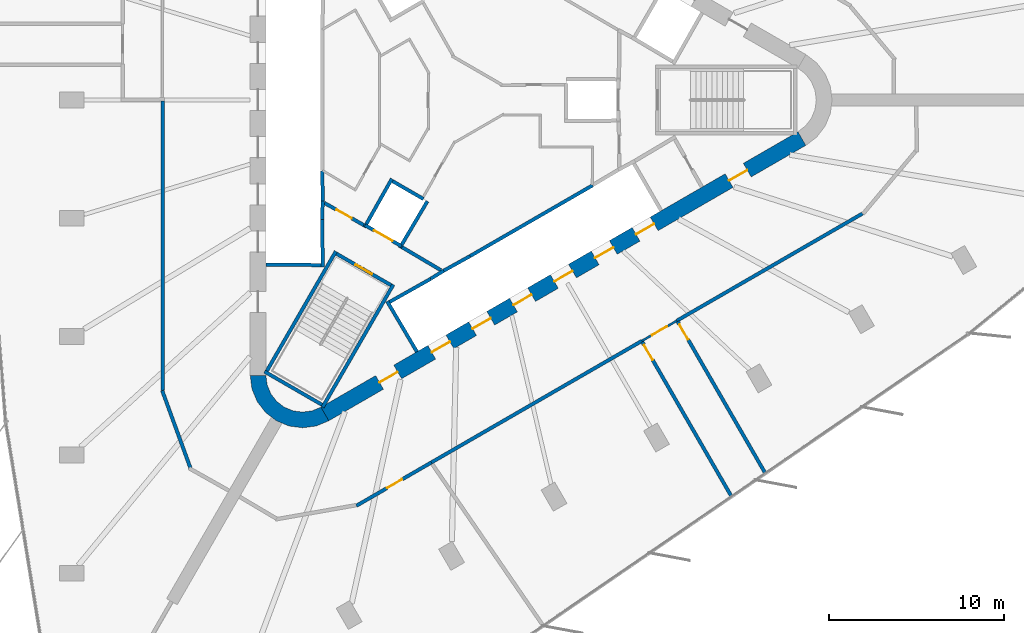
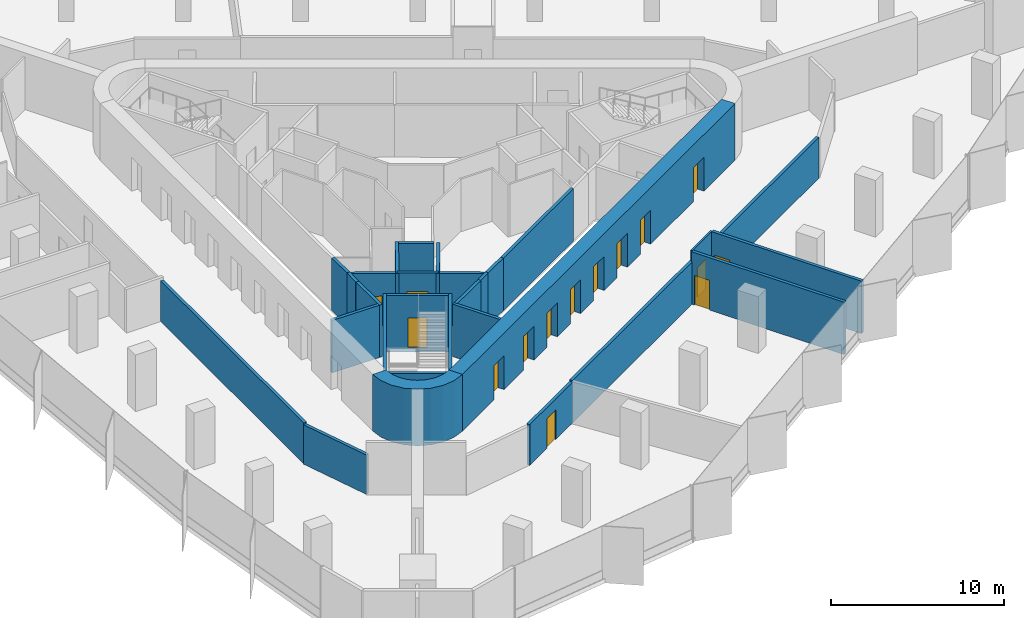
# One storey, part 8 of 13: 29 walls, 15 doors, 15 openings.
"""IFC4 building model written with IfcOpenShell, lengths in metres."""

from ifc_helpers import new_model, si_unit, direction, frame, frame_2d, origin, place, context, subcontext, project, spatial, polyline, rectangle, outline, extrude, material, layer, layer_set, type_object, element, fill, save


model = new_model("IFC4")

# Units and contexts
model_context = context("Model", 3, precision=1e-05, world=origin(), true_north=direction((0.0, 1.0)))
body_context = subcontext(model_context, "Body", "Model", "MODEL_VIEW")
ifc_project = project(units=[si_unit("LENGTHUNIT", "METRE"), si_unit("AREAUNIT", "SQUARE_METRE"), si_unit("VOLUMEUNIT", "CUBIC_METRE"), si_unit("PLANEANGLEUNIT", "RADIAN"), si_unit("MASSUNIT", "GRAM", prefix="KILO")], contexts=[model_context])

# Site, building, storey
site_placement = place(None, origin())
site = spatial("IfcSite", under=ifc_project, at=site_placement, CompositionType="ELEMENT")
building_placement = place(site_placement, origin())
building = spatial("IfcBuilding", under=site, at=building_placement, Name="Tanit Gate Tower", CompositionType="ELEMENT")
storey_placement = place(building_placement, frame((0.0, 0.0, 197.199951171875)))
storey = spatial("IfcBuildingStorey", under=building, at=storey_placement, Name="L43", CompositionType="ELEMENT", Elevation=197.199951171875)

# Wall, openings, doors
ifc_material_1 = material(Name="Concrete C50/60", Category="concrete")
ifc_layer_1 = layer(ifc_material_1, 0.89990234375)
ifc_layer_set_1 = layer_set([ifc_layer_1], Name="CORE WALL 900 C50/60")
wall_type_1 = type_object("IfcWallType", Name="CORE WALL 900 C50/60", PredefinedType="SHEAR", material=ifc_layer_set_1)
wall_1_placement = place(storey_placement, frame((-7.824951171875, -17.969970703125, 0.0), z_axis=(0.0, 0.0, 1.0), x_axis=(0.866028369851, 0.499994862586, 0.0)))
wall_1 = element("IfcWall", 1, at=wall_1_placement, inside=storey, type_object=wall_type_1, Name="CORE WALL", PredefinedType="SHEAR", context=body_context, shape_type="SweptSolid", body=[
    extrude(rectangle(XDim=31.523193359375, YDim=0.89990234375, at=frame_2d((15.76171875, 0.0))), origin(), (0.0, 0.0, 1.0), 4.0),
])
opening_1_placement = place(wall_1_placement, frame((7.061767578125, 0.0, 0.0)))
opening_1 = element("IfcOpeningElement", 2, at=opening_1_placement, cuts=wall_1, Name="Opening LDSX1-S11", PredefinedType="OPENING", context=body_context, shape_type="SweptSolid", body=[
    extrude(rectangle(XDim=1.199951171875, YDim=2.39990234375, at=frame_2d((0.60009765625, 1.199951171875))), frame((0.0, 0.4599609375, 0.0), z_axis=(0.0, -1.0, 0.0), x_axis=(1.0, 0.0, 0.0)), (0.0, 0.0, 1.0), 0.919921875),
])
opening_2_placement = place(wall_1_placement, frame((9.76171875, 0.0, 0.0)))
opening_2 = element("IfcOpeningElement", 3, at=opening_2_placement, cuts=wall_1, Name="Opening LDSX2-S11", PredefinedType="OPENING", context=body_context, shape_type="SweptSolid", body=[
    extrude(rectangle(XDim=1.199951171875, YDim=2.39990234375, at=frame_2d((0.60009765625, 1.199951171875))), frame((0.0, 0.4599609375, 0.0), z_axis=(0.0, -1.0, 0.0), x_axis=(1.0, 0.0, 0.0)), (0.0, 0.0, 1.0), 0.919921875),
])
opening_3_placement = place(wall_1_placement, frame((12.461669921875, 0.0, 0.0)))
opening_3 = element("IfcOpeningElement", 4, at=opening_3_placement, cuts=wall_1, Name="Opening LDSX3-S11", PredefinedType="OPENING", context=body_context, shape_type="SweptSolid", body=[
    extrude(rectangle(XDim=1.199951171875, YDim=2.39990234375, at=frame_2d((0.60009765625, 1.199951171875))), frame((0.0, 0.4599609375, 0.0), z_axis=(0.0, -1.0, 0.0), x_axis=(1.0, 0.0, 0.0)), (0.0, 0.0, 1.0), 0.919921875),
])
opening_4_placement = place(wall_1_placement, frame((15.16162109375, 0.0, 0.0)))
opening_4 = element("IfcOpeningElement", 5, at=opening_4_placement, cuts=wall_1, Name="Opening LDSX4-S11", PredefinedType="OPENING", context=body_context, shape_type="SweptSolid", body=[
    extrude(rectangle(XDim=1.199951171875, YDim=2.39990234375, at=frame_2d((0.60009765625, 1.199951171875))), frame((0.0, 0.4599609375, 0.0), z_axis=(0.0, -1.0, 0.0), x_axis=(1.0, 0.0, 0.0)), (0.0, 0.0, 1.0), 0.919921875),
])
opening_5_placement = place(wall_1_placement, frame((17.861572265625, 0.0, 0.0)))
opening_5 = element("IfcOpeningElement", 6, at=opening_5_placement, cuts=wall_1, Name="Opening LDSV1-S11", PredefinedType="OPENING", context=body_context, shape_type="SweptSolid", body=[
    extrude(rectangle(XDim=1.199951171875, YDim=2.39990234375, at=frame_2d((0.60009765625, 1.199951171875))), frame((0.0, 0.4599609375, 0.0), z_axis=(0.0, -1.0, 0.0), x_axis=(1.0, 0.0, 0.0)), (0.0, 0.0, 1.0), 0.919921875),
])
opening_6_placement = place(wall_1_placement, frame((20.561767578125, 0.0, 0.0)))
opening_6 = element("IfcOpeningElement", 7, at=opening_6_placement, cuts=wall_1, Name="Opening LDSV2-S11", PredefinedType="OPENING", context=body_context, shape_type="SweptSolid", body=[
    extrude(rectangle(XDim=1.199951171875, YDim=2.39990234375, at=frame_2d((0.60009765625, 1.199951171875))), frame((0.0, 0.4599609375, 0.0), z_axis=(0.0, -1.0, 0.0), x_axis=(1.0, 0.0, 0.0)), (0.0, 0.0, 1.0), 0.919921875),
])
opening_7_placement = place(wall_1_placement, frame((26.711669921875, 0.0, 0.0)))
opening_7 = element("IfcOpeningElement", 8, at=opening_7_placement, cuts=wall_1, Name="Opening F12-S11-S1", PredefinedType="OPENING", context=body_context, shape_type="SweptSolid", body=[
    extrude(rectangle(XDim=1.199951171875, YDim=2.39990234375, at=frame_2d((0.60009765625, 1.199951171875))), frame((0.0, 0.4599609375, 0.0), z_axis=(0.0, -1.0, 0.0), x_axis=(1.0, 0.0, 0.0)), (0.0, 0.0, 1.0), 0.919921875),
])
opening_8_placement = place(wall_1_placement, frame((3.611572265625, 0.0, 0.0)))
opening_8 = element("IfcOpeningElement", 9, at=opening_8_placement, cuts=wall_1, Name="Opening F12-S11-FL3", PredefinedType="OPENING", context=body_context, shape_type="SweptSolid", body=[
    extrude(rectangle(XDim=1.199951171875, YDim=2.39990234375, at=frame_2d((0.60009765625, 1.199951171875))), frame((0.0, 0.4599609375, 0.0), z_axis=(0.0, -1.0, 0.0), x_axis=(1.0, 0.0, 0.0)), (0.0, 0.0, 1.0), 0.919921875),
])
ifc_material_2 = material(Name="Fire-rated steel door leaf", Category="steel")
door_type_1 = type_object("IfcDoorType", Name="INT-DOOR-FIRE-LOBBY-1200", OperationType="NOTDEFINED", PredefinedType="USERDEFINED", material=ifc_material_2)
door_1_placement = place(opening_7_placement, origin())
door_1 = element("IfcDoor", 10, at=door_1_placement, inside=storey, type_object=door_type_1, Name="Door F12-S11-S1", ObjectType="FIRE DOOR", OperationType="SINGLE_SWING_RIGHT", OverallHeight=2.39990234375, OverallWidth=1.199951171875, PredefinedType="USERDEFINED", context=body_context, shape_type="SweptSolid", body=[
    extrude(rectangle(XDim=1.199951171875, YDim=2.39990234375, at=frame_2d((0.60009765625, 1.199951171875))), frame((0.0, 0.02490234375, 0.0), z_axis=(0.0, -1.0, 0.0), x_axis=(1.0, 0.0, 0.0)), (0.0, 0.0, 1.0), 0.050048828125),
])
fill(opening_7, door_1)
door_2_placement = place(opening_8_placement, origin())
door_2 = element("IfcDoor", 11, at=door_2_placement, inside=storey, type_object=door_type_1, Name="Door F12-S11-FL3", ObjectType="FIRE DOOR", OperationType="SINGLE_SWING_RIGHT", OverallHeight=2.39990234375, OverallWidth=1.199951171875, PredefinedType="USERDEFINED", context=body_context, shape_type="SweptSolid", body=[
    extrude(rectangle(XDim=1.199951171875, YDim=2.39990234375, at=frame_2d((0.60009765625, 1.199951171875))), frame((0.0, 0.02490234375, 0.0), z_axis=(0.0, -1.0, 0.0), x_axis=(1.0, 0.0, 0.0)), (0.0, 0.0, 1.0), 0.050048828125),
])
fill(opening_8, door_2)
ifc_material_3 = material(Name="Stainless steel sliding door leaf", Category="steel")
door_type_2 = type_object("IfcDoorType", Name="INT-DOOR-LANDING-1200", OperationType="NOTDEFINED", PredefinedType="USERDEFINED", material=ifc_material_3)
door_3_placement = place(opening_1_placement, origin())
door_3 = element("IfcDoor", 12, at=door_3_placement, inside=storey, type_object=door_type_2, Name="Door LDSX1-S11", ObjectType="LANDING DOOR", OperationType="SLIDING_TO_LEFT", OverallHeight=2.39990234375, OverallWidth=1.199951171875, PredefinedType="USERDEFINED", context=body_context, shape_type="SweptSolid", body=[
    extrude(rectangle(XDim=1.199951171875, YDim=2.39990234375, at=frame_2d((0.60009765625, 1.199951171875))), frame((0.0, 0.02490234375, 0.0), z_axis=(0.0, -1.0, 0.0), x_axis=(1.0, 0.0, 0.0)), (0.0, 0.0, 1.0), 0.050048828125),
])
fill(opening_1, door_3)
door_4_placement = place(opening_2_placement, origin())
door_4 = element("IfcDoor", 13, at=door_4_placement, inside=storey, type_object=door_type_2, Name="Door LDSX2-S11", ObjectType="LANDING DOOR", OperationType="SLIDING_TO_LEFT", OverallHeight=2.39990234375, OverallWidth=1.199951171875, PredefinedType="USERDEFINED", context=body_context, shape_type="SweptSolid", body=[
    extrude(rectangle(XDim=1.199951171875, YDim=2.39990234375, at=frame_2d((0.60009765625, 1.199951171875))), frame((0.0, 0.02490234375, 0.0), z_axis=(0.0, -1.0, 0.0), x_axis=(1.0, 0.0, 0.0)), (0.0, 0.0, 1.0), 0.050048828125),
])
fill(opening_2, door_4)
door_5_placement = place(opening_3_placement, origin())
door_5 = element("IfcDoor", 14, at=door_5_placement, inside=storey, type_object=door_type_2, Name="Door LDSX3-S11", ObjectType="LANDING DOOR", OperationType="SLIDING_TO_LEFT", OverallHeight=2.39990234375, OverallWidth=1.199951171875, PredefinedType="USERDEFINED", context=body_context, shape_type="SweptSolid", body=[
    extrude(rectangle(XDim=1.199951171875, YDim=2.39990234375, at=frame_2d((0.60009765625, 1.199951171875))), frame((0.0, 0.02490234375, 0.0), z_axis=(0.0, -1.0, 0.0), x_axis=(1.0, 0.0, 0.0)), (0.0, 0.0, 1.0), 0.050048828125),
])
fill(opening_3, door_5)
door_6_placement = place(opening_4_placement, origin())
door_6 = element("IfcDoor", 15, at=door_6_placement, inside=storey, type_object=door_type_2, Name="Door LDSX4-S11", ObjectType="LANDING DOOR", OperationType="SLIDING_TO_LEFT", OverallHeight=2.39990234375, OverallWidth=1.199951171875, PredefinedType="USERDEFINED", context=body_context, shape_type="SweptSolid", body=[
    extrude(rectangle(XDim=1.199951171875, YDim=2.39990234375, at=frame_2d((0.60009765625, 1.199951171875))), frame((0.0, 0.02490234375, 0.0), z_axis=(0.0, -1.0, 0.0), x_axis=(1.0, 0.0, 0.0)), (0.0, 0.0, 1.0), 0.050048828125),
])
fill(opening_4, door_6)
door_7_placement = place(opening_5_placement, origin())
door_7 = element("IfcDoor", 16, at=door_7_placement, inside=storey, type_object=door_type_2, Name="Door LDSV1-S11", ObjectType="LANDING DOOR", OperationType="SLIDING_TO_LEFT", OverallHeight=2.39990234375, OverallWidth=1.199951171875, PredefinedType="USERDEFINED", context=body_context, shape_type="SweptSolid", body=[
    extrude(rectangle(XDim=1.199951171875, YDim=2.39990234375, at=frame_2d((0.60009765625, 1.199951171875))), frame((0.0, 0.02490234375, 0.0), z_axis=(0.0, -1.0, 0.0), x_axis=(1.0, 0.0, 0.0)), (0.0, 0.0, 1.0), 0.050048828125),
])
fill(opening_5, door_7)
door_8_placement = place(opening_6_placement, origin())
door_8 = element("IfcDoor", 17, at=door_8_placement, inside=storey, type_object=door_type_2, Name="Door LDSV2-S11", ObjectType="LANDING DOOR", OperationType="SLIDING_TO_LEFT", OverallHeight=2.39990234375, OverallWidth=1.199951171875, PredefinedType="USERDEFINED", context=body_context, shape_type="SweptSolid", body=[
    extrude(rectangle(XDim=1.199951171875, YDim=2.39990234375, at=frame_2d((0.60009765625, 1.199951171875))), frame((0.0, 0.02490234375, 0.0), z_axis=(0.0, -1.0, 0.0), x_axis=(1.0, 0.0, 0.0)), (0.0, 0.0, 1.0), 0.050048828125),
])
fill(opening_6, door_8)

# Walls
wall_2_placement = place(storey_placement, origin())
element("IfcWall", 18, at=wall_2_placement, inside=storey, type_object=wall_type_1, Name="CORE WALL CORNER", PredefinedType="SHEAR", context=body_context, shape_type="SweptSolid", body=[
    extrude(outline(polyline([(-12.10009765625, -15.76171875), (-11.997802734375, -16.5380859375), (-11.697998046875, -17.26171875), (-11.22119140625, -17.883056640625), (-10.60009765625, -18.359619140625), (-9.87646484375, -18.659423828125), (-9.10009765625, -18.76171875), (-8.323486328125, -18.659423828125), (-7.60009765625, -18.359619140625), (-8.050048828125, -17.580322265625), (-8.556396484375, -17.7900390625), (-9.10009765625, -17.86181640625), (-9.6435546875, -17.7900390625), (-10.14990234375, -17.580322265625), (-10.5849609375, -17.24658203125), (-10.918701171875, -16.811767578125), (-11.12841796875, -16.30517578125), (-11.199951171875, -15.76171875), (-12.10009765625, -15.76171875)])), origin(), (0.0, 0.0, 1.0), 4.0),
])
ifc_material_4 = material(Name="Fire-rated gypsum board partition")
ifc_layer_2 = layer(ifc_material_4, 0.199951171875)
ifc_layer_set_2 = layer_set([ifc_layer_2], Name="INT-WALL-COMPARTMENT")
wall_type_2 = type_object("IfcWallType", Name="INT-WALL-COMPARTMENT", PredefinedType="PARTITIONING", material=ifc_layer_set_2)
wall_3_placement = place(storey_placement, frame((-3.400634765625, -8.43017578125, 0.0), z_axis=(0.0, 0.0, 1.0), x_axis=(0.860615607571, -0.509255118781, 0.0)))
element("IfcWall", 19, at=wall_3_placement, inside=storey, type_object=wall_type_2, Name="Wall Compartment W061", PredefinedType="PARTITIONING", context=body_context, shape_type="SweptSolid", body=[
    extrude(rectangle(XDim=2.58056640625, YDim=0.199951171875, at=frame_2d((1.290283203125, 0.0))), origin(), (0.0, 0.0, 1.0), 3.699951171875),
])

# Wall, opening, door
wall_4_placement = place(storey_placement, frame((-7.849365234375, -5.893798828125, 0.0), z_axis=(0.0, 0.0, 1.0), x_axis=(0.871363259478, -0.490638431059, 0.0)))
wall_4 = element("IfcWall", 20, at=wall_4_placement, inside=storey, type_object=wall_type_2, Name="Wall Compartment W062", PredefinedType="PARTITIONING", context=body_context, shape_type="SweptSolid", body=[
    extrude(rectangle(XDim=2.5810546875, YDim=0.199951171875, at=frame_2d((1.29052734375, 0.0))), origin(), (0.0, 0.0, 1.0), 3.699951171875),
])
opening_9_placement = place(wall_4_placement, frame((0.79052734375, 0.0, 0.0)))
opening_9 = element("IfcOpeningElement", 21, at=opening_9_placement, cuts=wall_4, Name="Opening F10-S11-08", PredefinedType="OPENING", context=body_context, shape_type="SweptSolid", body=[
    extrude(rectangle(XDim=1.0, YDim=2.10009765625, at=frame_2d((0.5, 1.050048828125))), frame((0.0, 0.10986328125, 0.0), z_axis=(0.0, -1.0, 0.0), x_axis=(1.0, 0.0, 0.0)), (0.0, 0.0, 1.0), 0.219970703125),
])
ifc_material_5 = material(Name="Fire-rated steel door leaf", Category="steel")
door_type_3 = type_object("IfcDoorType", Name="INT-DOOR-FIRE-1000", OperationType="NOTDEFINED", PredefinedType="USERDEFINED", material=ifc_material_5)
door_9_placement = place(opening_9_placement, origin())
door_9 = element("IfcDoor", 22, at=door_9_placement, inside=storey, type_object=door_type_3, Name="Door F10-S11-08", ObjectType="FIRE DOOR", OperationType="SINGLE_SWING_LEFT", OverallHeight=2.10009765625, OverallWidth=1.0, PredefinedType="USERDEFINED", context=body_context, shape_type="SweptSolid", body=[
    extrude(rectangle(XDim=1.0, YDim=2.10009765625, at=frame_2d((0.5, 1.050048828125))), frame((0.0, 0.02490234375, 0.0), z_axis=(0.0, -1.0, 0.0), x_axis=(1.0, 0.0, 0.0)), (0.0, 0.0, 1.0), 0.050048828125),
])
fill(opening_9, door_9)

# Walls
wall_5_placement = place(storey_placement, frame((-17.13427734375, -16.628662109375, 0.0), z_axis=(0.0, 0.0, 1.0), x_axis=(0.342036655594, -0.939686610647, 0.0)))
element("IfcWall", 23, at=wall_5_placement, inside=storey, type_object=wall_type_2, Name="Wall Compartment W097", PredefinedType="PARTITIONING", context=body_context, shape_type="SweptSolid", body=[
    extrude(rectangle(XDim=4.740234375, YDim=0.199951171875, at=frame_2d((2.3701171875, 0.0))), origin(), (0.0, 0.0, 1.0), 2.780029296875),
])
wall_6_placement = place(storey_placement, frame((-17.10009765625, -0.070068359375, 0.0), z_axis=(0.0, 0.0, 1.0), x_axis=(0.0, -1.0, 0.0)))
element("IfcWall", 24, at=wall_6_placement, inside=storey, type_object=wall_type_2, Name="Wall Compartment W098", PredefinedType="PARTITIONING", context=body_context, shape_type="SweptSolid", body=[
    extrude(rectangle(XDim=16.552490234375, YDim=0.199951171875, at=frame_2d((8.2763671875, 0.0))), origin(), (0.0, 0.0, 1.0), 2.880126953125),
])

# Wall, opening, door
wall_7_placement = place(storey_placement, frame((-6.018798828125, -23.220458984375, 0.0), z_axis=(0.0, 0.0, 1.0), x_axis=(0.866018215049, 0.500012451049, 0.0)))
wall_7 = element("IfcWall", 25, at=wall_7_placement, inside=storey, type_object=wall_type_2, Name="Wall Compartment W112", PredefinedType="PARTITIONING", context=body_context, shape_type="SweptSolid", body=[
    extrude(rectangle(XDim=4.955322265625, YDim=0.199951171875, at=frame_2d((2.4775390625, 0.0))), origin(), (0.0, 0.0, 1.0), 2.880126953125),
])
opening_10_placement = place(wall_7_placement, frame((2.01953125, 0.0, 0.0)))
opening_10 = element("IfcOpeningElement", 26, at=opening_10_placement, cuts=wall_7, Name="Opening F10-S11-32", PredefinedType="OPENING", context=body_context, shape_type="SweptSolid", body=[
    extrude(rectangle(XDim=1.0, YDim=2.10009765625, at=frame_2d((0.5, 1.050048828125))), frame((0.0, 0.10986328125, 0.0), z_axis=(0.0, -1.0, 0.0), x_axis=(1.0, 0.0, 0.0)), (0.0, 0.0, 1.0), 0.219970703125),
])
door_10_placement = place(opening_10_placement, origin())
door_10 = element("IfcDoor", 27, at=door_10_placement, inside=storey, type_object=door_type_3, Name="Door F10-S11-32", ObjectType="FIRE DOOR", OperationType="SINGLE_SWING_RIGHT", OverallHeight=2.10009765625, OverallWidth=1.0, PredefinedType="USERDEFINED", context=body_context, shape_type="SweptSolid", body=[
    extrude(rectangle(XDim=1.0, YDim=2.10009765625, at=frame_2d((0.5, 1.050048828125))), frame((0.0, 0.02490234375, 0.0), z_axis=(0.0, -1.0, 0.0), x_axis=(1.0, 0.0, 0.0)), (0.0, 0.0, 1.0), 0.050048828125),
])
fill(opening_10, door_10)

# Walls
wall_8_placement = place(storey_placement, frame((-1.727294921875, -20.74267578125, 0.0), z_axis=(0.0, 0.0, 1.0), x_axis=(0.866022578741, 0.500004893086, 0.0)))
element("IfcWall", 28, at=wall_8_placement, inside=storey, type_object=wall_type_2, Name="Wall Compartment W111", PredefinedType="PARTITIONING", context=body_context, shape_type="SweptSolid", body=[
    extrude(rectangle(XDim=13.917236328125, YDim=0.199951171875, at=frame_2d((6.95849609375, 0.0))), origin(), (0.0, 0.0, 1.0), 2.97998046875),
])
wall_9_placement = place(storey_placement, frame((12.317138671875, -12.634033203125, 0.0), z_axis=(0.0, 0.0, 1.0), x_axis=(0.866028561818, 0.499994530085, 0.0)))
element("IfcWall", 29, at=wall_9_placement, inside=storey, type_object=wall_type_2, Name="Wall Compartment W110", PredefinedType="PARTITIONING", context=body_context, shape_type="SweptSolid", body=[
    extrude(rectangle(XDim=12.272705078125, YDim=0.199951171875, at=frame_2d((6.13623046875, 0.0))), origin(), (0.0, 0.0, 1.0), 2.880126953125),
])

# Wall, opening, door
wall_10_placement = place(storey_placement, frame((17.37548828125, -21.35498046875, 0.0), z_axis=(0.0, 0.0, 1.0), x_axis=(-0.500014165022, 0.866017225451, 0.0)))
wall_10 = element("IfcWall", 30, at=wall_10_placement, inside=storey, type_object=wall_type_2, Name="Wall Compartment W133", PredefinedType="PARTITIONING", context=body_context, shape_type="SweptSolid", body=[
    extrude(rectangle(XDim=10.021728515625, YDim=0.199951171875, at=frame_2d((5.0107421875, 0.0))), origin(), (0.0, 0.0, 1.0), 3.699951171875),
])
opening_11_placement = place(wall_10_placement, frame((8.82177734375, 0.0, 0.0)))
opening_11 = element("IfcOpeningElement", 31, at=opening_11_placement, cuts=wall_10, Name="Opening F10-S11-30", PredefinedType="OPENING", context=body_context, shape_type="SweptSolid", body=[
    extrude(rectangle(XDim=1.0, YDim=2.10009765625, at=frame_2d((0.5, 1.050048828125))), frame((0.0, 0.10986328125, 0.0), z_axis=(0.0, -1.0, 0.0), x_axis=(1.0, 0.0, 0.0)), (0.0, 0.0, 1.0), 0.219970703125),
])
door_11_placement = place(opening_11_placement, origin())
door_11 = element("IfcDoor", 32, at=door_11_placement, inside=storey, type_object=door_type_3, Name="Door F10-S11-30", ObjectType="FIRE DOOR", OperationType="SINGLE_SWING_RIGHT", OverallHeight=2.10009765625, OverallWidth=1.0, PredefinedType="USERDEFINED", context=body_context, shape_type="SweptSolid", body=[
    extrude(rectangle(XDim=1.0, YDim=2.10009765625, at=frame_2d((0.5, 1.050048828125))), frame((0.0, 0.02490234375, 0.0), z_axis=(0.0, -1.0, 0.0), x_axis=(1.0, 0.0, 0.0)), (0.0, 0.0, 1.0), 0.050048828125),
])
fill(opening_11, door_11)

wall_11_placement = place(storey_placement, frame((10.338134765625, -13.845947265625, 0.0), z_axis=(0.0, 0.0, 1.0), x_axis=(0.499983401189, -0.8660349869, 0.0)))
wall_11 = element("IfcWall", 33, at=wall_11_placement, inside=storey, type_object=wall_type_2, Name="Wall Compartment W134", PredefinedType="PARTITIONING", context=body_context, shape_type="SweptSolid", body=[
    extrude(rectangle(XDim=10.204345703125, YDim=0.199951171875, at=frame_2d((5.10205078125, 0.0))), origin(), (0.0, 0.0, 1.0), 3.699951171875),
])
opening_12_placement = place(wall_11_placement, frame((0.199951171875, 0.0, 0.0)))
opening_12 = element("IfcOpeningElement", 34, at=opening_12_placement, cuts=wall_11, Name="Opening F10-S11-31", PredefinedType="OPENING", context=body_context, shape_type="SweptSolid", body=[
    extrude(rectangle(XDim=1.0, YDim=2.10009765625, at=frame_2d((0.5, 1.050048828125))), frame((0.0, 0.10986328125, 0.0), z_axis=(0.0, -1.0, 0.0), x_axis=(1.0, 0.0, 0.0)), (0.0, 0.0, 1.0), 0.219970703125),
])
door_12_placement = place(opening_12_placement, origin())
door_12 = element("IfcDoor", 35, at=door_12_placement, inside=storey, type_object=door_type_3, Name="Door F10-S11-31", ObjectType="FIRE DOOR", OperationType="SINGLE_SWING_RIGHT", OverallHeight=2.10009765625, OverallWidth=1.0, PredefinedType="USERDEFINED", context=body_context, shape_type="SweptSolid", body=[
    extrude(rectangle(XDim=1.0, YDim=2.10009765625, at=frame_2d((0.5, 1.050048828125))), frame((0.0, 0.02490234375, 0.0), z_axis=(0.0, -1.0, 0.0), x_axis=(1.0, 0.0, 0.0)), (0.0, 0.0, 1.0), 0.050048828125),
])
fill(opening_12, door_12)

ifc_material_6 = material(Name="Gypsum board partition")
ifc_layer_3 = layer(ifc_material_6, 0.1201171875)
ifc_layer_set_3 = layer_set([ifc_layer_3], Name="INT-WALL-PARTITION")
wall_type_3 = type_object("IfcWallType", Name="INT-WALL-PARTITION", PredefinedType="PARTITIONING", material=ifc_layer_set_3)
wall_12_placement = place(storey_placement, frame((12.317138671875, -12.634033203125, 0.0), z_axis=(0.0, 0.0, 1.0), x_axis=(-0.86602648383, -0.499998129301, 0.0)))
wall_12 = element("IfcWall", 36, at=wall_12_placement, inside=storey, type_object=wall_type_3, Name="Wall Partition W107", PredefinedType="PARTITIONING", context=body_context, shape_type="SweptSolid", body=[
    extrude(rectangle(XDim=2.2998046875, YDim=0.1201171875, at=frame_2d((1.14990234375, 0.0))), origin(), (0.0, 0.0, 1.0), 3.699951171875),
])
opening_13_placement = place(wall_12_placement, frame((0.64990234375, 0.0, 0.0)))
opening_13 = element("IfcOpeningElement", 37, at=opening_13_placement, cuts=wall_12, Name="Opening D10-S11-20", PredefinedType="OPENING", context=body_context, shape_type="SweptSolid", body=[
    extrude(rectangle(XDim=1.0, YDim=2.10009765625, at=frame_2d((0.5, 1.050048828125))), frame((0.0, 0.070068359375, 0.0), z_axis=(0.0, -1.0, 0.0), x_axis=(1.0, 0.0, 0.0)), (0.0, 0.0, 1.0), 0.14013671875),
])
ifc_material_7 = material(Name="Timber door leaf", Category="wood")
door_type_4 = type_object("IfcDoorType", Name="INT-DOOR-SINGLE-1000", OperationType="NOTDEFINED", PredefinedType="NOTDEFINED", material=ifc_material_7)
door_13_placement = place(opening_13_placement, origin())
door_13 = element("IfcDoor", 38, at=door_13_placement, inside=storey, type_object=door_type_4, Name="Door D10-S11-20", OperationType="SINGLE_SWING_LEFT", OverallHeight=2.10009765625, OverallWidth=1.0, PredefinedType="NOTDEFINED", context=body_context, shape_type="SweptSolid", body=[
    extrude(rectangle(XDim=1.0, YDim=2.10009765625, at=frame_2d((0.5, 1.050048828125))), frame((0.0, 0.02490234375, 0.0), z_axis=(0.0, -1.0, 0.0), x_axis=(1.0, 0.0, 0.0)), (0.0, 0.0, 1.0), 0.050048828125),
])
fill(opening_13, door_13)

# Walls
ifc_material_8 = material(Name="Gypsum shaft wall system")
ifc_layer_4 = layer(ifc_material_8, 0.199951171875)
ifc_layer_set_4 = layer_set([ifc_layer_4], Name="INT-WALL-SHAFT")
wall_type_4 = type_object("IfcWallType", Name="INT-WALL-SHAFT", PredefinedType="PLUMBINGWALL", material=ifc_layer_set_4)
wall_13_placement = place(storey_placement, frame((-7.949951171875, -5.7724609375, 0.0), z_axis=(0.0, 0.0, 1.0), x_axis=(-0.030803413295, -0.999525462272, 0.0)))
element("IfcWall", 39, at=wall_13_placement, inside=storey, type_object=wall_type_4, Name="Wall Shaft W008", PredefinedType="PLUMBINGWALL", context=body_context, shape_type="SweptSolid", body=[
    extrude(rectangle(XDim=1.077880859375, YDim=0.199951171875, at=frame_2d((0.5390625, 0.0))), origin(), (0.0, 0.0, 1.0), 3.699951171875),
])
wall_14_placement = place(storey_placement, frame((-7.971435546875, -4.050048828125, 0.0), z_axis=(0.0, 0.0, 1.0), x_axis=(0.012042535896, -0.999927486035, 0.0)))
element("IfcWall", 40, at=wall_14_placement, inside=storey, type_object=wall_type_4, Name="Wall Shaft W009", PredefinedType="PLUMBINGWALL", context=body_context, shape_type="SweptSolid", body=[
    extrude(rectangle(XDim=1.844970703125, YDim=0.199951171875, at=frame_2d((0.92236328125, 0.0))), origin(), (0.0, 0.0, 1.0), 3.699951171875),
])
wall_15_placement = place(storey_placement, frame((-7.97900390625, -6.85009765625, 0.0), z_axis=(0.0, 0.0, 1.0), x_axis=(0.011121475088, -0.999938154483, 0.0)))
element("IfcWall", 41, at=wall_15_placement, inside=storey, type_object=wall_type_4, Name="Wall Shaft W010", PredefinedType="PLUMBINGWALL", context=body_context, shape_type="SweptSolid", body=[
    extrude(rectangle(XDim=2.7001953125, YDim=0.199951171875, at=frame_2d((1.35009765625, 0.0))), origin(), (0.0, 0.0, 1.0), 3.699951171875),
])
wall_16_placement = place(storey_placement, frame((-8.050048828125, -9.448974609375, 0.0), z_axis=(0.0, 0.0, 1.0), x_axis=(-0.999957467379, 0.009222983926, 0.0)))
element("IfcWall", 42, at=wall_16_placement, inside=storey, type_object=wall_type_4, Name="Wall Shaft W011", PredefinedType="PLUMBINGWALL", context=body_context, shape_type="SweptSolid", body=[
    extrude(rectangle(XDim=3.150146484375, YDim=0.199951171875, at=frame_2d((1.5751953125, 0.0))), origin(), (0.0, 0.0, 1.0), 3.699951171875),
])
wall_17_placement = place(storey_placement, frame((0.482666015625, -8.935791015625, 0.0), z_axis=(0.0, 0.0, 1.0), x_axis=(0.866030989016, 0.499990325971, 0.0)))
element("IfcWall", 43, at=wall_17_placement, inside=storey, type_object=wall_type_4, Name="Wall Shaft W023", PredefinedType="PLUMBINGWALL", context=body_context, shape_type="SweptSolid", body=[
    extrude(rectangle(XDim=8.099853515625, YDim=0.199951171875, at=frame_2d((4.0498046875, 0.0))), origin(), (0.0, 0.0, 1.0), 3.699951171875),
])
wall_18_placement = place(storey_placement, frame((-2.557861328125, -14.409423828125, 0.0), z_axis=(0.0, 0.0, 1.0), x_axis=(-0.507997497166, 0.861358544901, 0.0)))
element("IfcWall", 44, at=wall_18_placement, inside=storey, type_object=wall_type_4, Name="Wall Shaft W019", PredefinedType="PLUMBINGWALL", context=body_context, shape_type="SweptSolid", body=[
    extrude(rectangle(XDim=3.350341796875, YDim=0.199951171875, at=frame_2d((1.67529296875, 0.0))), origin(), (0.0, 0.0, 1.0), 3.699951171875),
])
wall_19_placement = place(storey_placement, frame((-1.7685546875, -10.23681640625, 0.0), z_axis=(0.0, 0.0, 1.0), x_axis=(-0.871534483978, -0.490334215854, 0.0)))
element("IfcWall", 45, at=wall_19_placement, inside=storey, type_object=wall_type_4, Name="Wall Shaft W020", PredefinedType="PLUMBINGWALL", context=body_context, shape_type="SweptSolid", body=[
    extrude(rectangle(XDim=2.7001953125, YDim=0.199951171875, at=frame_2d((1.35009765625, 0.0))), origin(), (0.0, 0.0, 1.0), 3.699951171875),
])
wall_20_placement = place(storey_placement, frame((-1.02392578125, -9.77099609375, 0.0), z_axis=(0.0, 0.0, 1.0), x_axis=(-0.850348075135, -0.526220629693, 0.0)))
element("IfcWall", 46, at=wall_20_placement, inside=storey, type_object=wall_type_4, Name="Wall Shaft W021", PredefinedType="PLUMBINGWALL", context=body_context, shape_type="SweptSolid", body=[
    extrude(rectangle(XDim=0.878173828125, YDim=0.199951171875, at=frame_2d((0.43896484375, 0.0))), origin(), (0.0, 0.0, 1.0), 3.699951171875),
])
wall_21_placement = place(storey_placement, frame((-1.130126953125, -9.831298828125, 0.0), z_axis=(0.0, 0.0, 1.0), x_axis=(0.874269620932, 0.485440655401, 0.0)))
element("IfcWall", 47, at=wall_21_placement, inside=storey, type_object=wall_type_4, Name="Wall Shaft W022", PredefinedType="PLUMBINGWALL", context=body_context, shape_type="SweptSolid", body=[
    extrude(rectangle(XDim=1.8447265625, YDim=0.199951171875, at=frame_2d((0.92236328125, 0.0))), origin(), (0.0, 0.0, 1.0), 3.699951171875),
])

# Wall, opening, door
wall_22_placement = place(storey_placement, frame((-3.44580078125, -8.3681640625, 0.0), z_axis=(0.0, 0.0, 1.0), x_axis=(-0.866024647952, 0.500001309137, 0.0)))
wall_22 = element("IfcWall", 48, at=wall_22_placement, inside=storey, type_object=wall_type_4, Name="Wall Shaft W045", PredefinedType="PLUMBINGWALL", context=body_context, shape_type="SweptSolid", body=[
    extrude(rectangle(XDim=2.39990234375, YDim=0.199951171875, at=frame_2d((1.199951171875, 0.0))), origin(), (0.0, 0.0, 1.0), 3.699951171875),
])
opening_14_placement = place(wall_22_placement, frame((0.60009765625, 0.0, 0.0)))
opening_14 = element("IfcOpeningElement", 49, at=opening_14_placement, cuts=wall_22, Name="Opening LDFL3-L43", PredefinedType="OPENING", context=body_context, shape_type="SweptSolid", body=[
    extrude(rectangle(XDim=1.199951171875, YDim=2.39990234375, at=frame_2d((0.60009765625, 1.199951171875))), frame((0.0, 0.10986328125, 0.0), z_axis=(0.0, -1.0, 0.0), x_axis=(1.0, 0.0, 0.0)), (0.0, 0.0, 1.0), 0.219970703125),
])
door_14_placement = place(opening_14_placement, origin())
door_14 = element("IfcDoor", 50, at=door_14_placement, inside=storey, type_object=door_type_2, Name="Door LDFL3-L43", ObjectType="LANDING DOOR", OperationType="SLIDING_TO_LEFT", OverallHeight=2.39990234375, OverallWidth=1.199951171875, PredefinedType="USERDEFINED", context=body_context, shape_type="SweptSolid", body=[
    extrude(rectangle(XDim=1.199951171875, YDim=2.39990234375, at=frame_2d((0.60009765625, 1.199951171875))), frame((0.0, 0.02490234375, 0.0), z_axis=(0.0, -1.0, 0.0), x_axis=(1.0, 0.0, 0.0)), (0.0, 0.0, 1.0), 0.050048828125),
])
fill(opening_14, door_14)

# Walls
wall_23_placement = place(storey_placement, frame((-1.960693359375, -5.796142578125, 0.0), z_axis=(0.0, 0.0, 1.0), x_axis=(-0.508647062354, -0.860975125052, 0.0)))
element("IfcWall", 51, at=wall_23_placement, inside=storey, type_object=wall_type_4, Name="Wall Shaft W046", PredefinedType="PLUMBINGWALL", context=body_context, shape_type="SweptSolid", body=[
    extrude(rectangle(XDim=3.10009765625, YDim=0.199951171875, at=frame_2d((1.550048828125, 0.0))), origin(), (0.0, 0.0, 1.0), 3.699951171875),
])
wall_24_placement = place(storey_placement, frame((-3.989990234375, -4.509033203125, 0.0), z_axis=(0.0, 0.0, 1.0), x_axis=(-0.491358283181, -0.870957540612, 0.0)))
element("IfcWall", 52, at=wall_24_placement, inside=storey, type_object=wall_type_4, Name="Wall Shaft W047", PredefinedType="PLUMBINGWALL", context=body_context, shape_type="SweptSolid", body=[
    extrude(rectangle(XDim=3.200439453125, YDim=0.199951171875, at=frame_2d((1.60009765625, 0.0))), origin(), (0.0, 0.0, 1.0), 3.699951171875),
])
wall_25_placement = place(storey_placement, frame((-3.95263671875, -4.646240234375, 0.0), z_axis=(0.0, 0.0, 1.0), x_axis=(0.866032100247, -0.499988401207, 0.0)))
element("IfcWall", 53, at=wall_25_placement, inside=storey, type_object=wall_type_4, Name="Wall Shaft W048", PredefinedType="PLUMBINGWALL", context=body_context, shape_type="SweptSolid", body=[
    extrude(rectangle(XDim=2.03955078125, YDim=0.199951171875, at=frame_2d((1.019775390625, 0.0))), origin(), (0.0, 0.0, 1.0), 3.699951171875),
])
ifc_material_9 = material(Name="Concrete C40/50", Category="concrete")
ifc_layer_5 = layer(ifc_material_9, 0.199951171875)
ifc_layer_set_5 = layer_set([ifc_layer_5], Name="INT-WALL-STAIR")
wall_type_5 = type_object("IfcWallType", Name="INT-WALL-STAIR", PredefinedType="SHEAR", material=ifc_layer_set_5)
wall_26_placement = place(storey_placement, frame((-3.904541015625, -10.56298828125, -0.300048828125), z_axis=(0.0, 0.0, 1.0), x_axis=(-0.500012932018, -0.866017937352, 0.0)))
element("IfcWall", 54, at=wall_26_placement, inside=storey, type_object=wall_type_5, Name="Wall Stair W041", PredefinedType="SHEAR", context=body_context, shape_type="SweptSolid", body=[
    extrude(rectangle(XDim=8.099853515625, YDim=0.199951171875, at=frame_2d((4.0498046875, 0.0))), origin(), (0.0, 0.0, 1.0), 4.0),
])
wall_27_placement = place(storey_placement, frame((-11.281982421875, -15.541015625, -0.300048828125), z_axis=(0.0, 0.0, 1.0), x_axis=(0.866000483506, -0.500043160704, 0.0)))
element("IfcWall", 55, at=wall_27_placement, inside=storey, type_object=wall_type_5, Name="Wall Stair W042", PredefinedType="SHEAR", context=body_context, shape_type="SweptSolid", body=[
    extrude(rectangle(XDim=3.800048828125, YDim=0.199951171875, at=frame_2d((1.89990234375, 0.0))), origin(), (0.0, 0.0, 1.0), 4.0),
])
wall_28_placement = place(storey_placement, frame((-7.195556640625, -8.662841796875, -0.300048828125), z_axis=(0.0, 0.0, 1.0), x_axis=(-0.499997992926, -0.866026562566, 0.0)))
element("IfcWall", 56, at=wall_28_placement, inside=storey, type_object=wall_type_5, Name="Wall Stair W043", PredefinedType="SHEAR", context=body_context, shape_type="SweptSolid", body=[
    extrude(rectangle(XDim=7.89990234375, YDim=0.199951171875, at=frame_2d((3.949951171875, 0.0))), origin(), (0.0, 0.0, 1.0), 4.0),
])

# Wall, opening, door
wall_29_placement = place(storey_placement, frame((-4.041259765625, -10.599365234375, -0.300048828125), z_axis=(0.0, 0.0, 1.0), x_axis=(-0.866047807691, 0.499961193289, 0.0)))
wall_29 = element("IfcWall", 57, at=wall_29_placement, inside=storey, type_object=wall_type_5, Name="Wall Stair W044", PredefinedType="SHEAR", context=body_context, shape_type="SweptSolid", body=[
    extrude(rectangle(XDim=3.599853515625, YDim=0.199951171875, at=frame_2d((1.7998046875, 0.0))), origin(), (0.0, 0.0, 1.0), 4.0),
])
opening_15_placement = place(wall_29_placement, frame((1.25, 0.0, 0.300048828125)))
opening_15 = element("IfcOpeningElement", 58, at=opening_15_placement, cuts=wall_29, Name="Opening S11-S11-07", PredefinedType="OPENING", context=body_context, shape_type="SweptSolid", body=[
    extrude(rectangle(XDim=1.10009765625, YDim=2.10009765625, at=frame_2d((0.550048828125, 1.050048828125))), frame((0.0, 0.10986328125, 0.0), z_axis=(0.0, -1.0, 0.0), x_axis=(1.0, 0.0, 0.0)), (0.0, 0.0, 1.0), 0.219970703125),
])
ifc_material_10 = material(Name="Timber door leaf", Category="wood")
door_type_5 = type_object("IfcDoorType", Name="INT-DOOR-STAIR-1100", OperationType="NOTDEFINED", PredefinedType="USERDEFINED", material=ifc_material_10)
door_15_placement = place(opening_15_placement, origin())
door_15 = element("IfcDoor", 59, at=door_15_placement, inside=storey, type_object=door_type_5, Name="Door S11-S11-07", ObjectType="FIRE DOOR", OperationType="SINGLE_SWING_LEFT", OverallHeight=2.10009765625, OverallWidth=1.10009765625, PredefinedType="USERDEFINED", context=body_context, shape_type="SweptSolid", body=[
    extrude(rectangle(XDim=1.10009765625, YDim=2.10009765625, at=frame_2d((0.550048828125, 1.050048828125))), frame((0.0, 0.02490234375, 0.0), z_axis=(0.0, -1.0, 0.0), x_axis=(1.0, 0.0, 0.0)), (0.0, 0.0, 1.0), 0.050048828125),
])
fill(opening_15, door_15)

save(model, "model.ifc")
